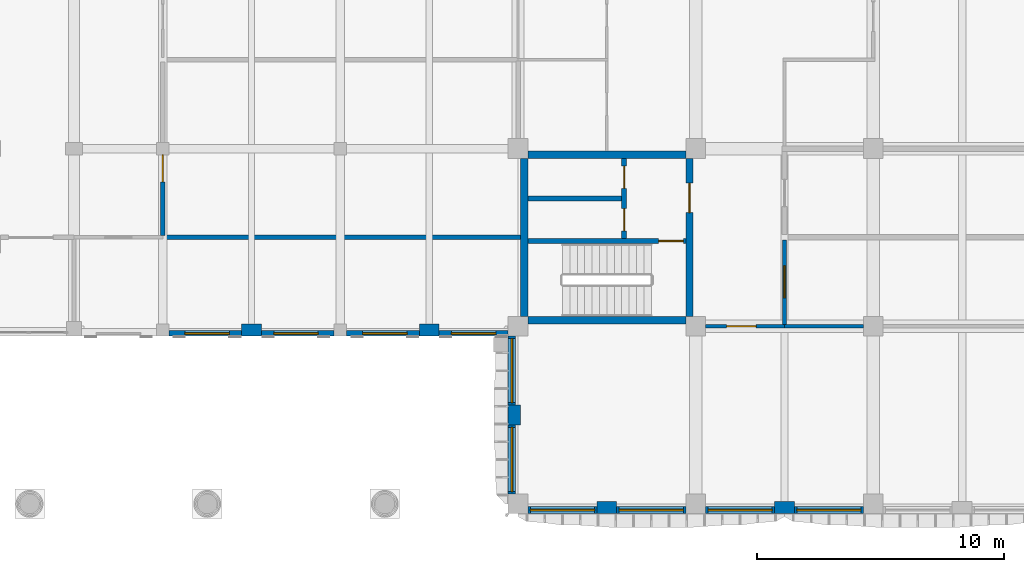
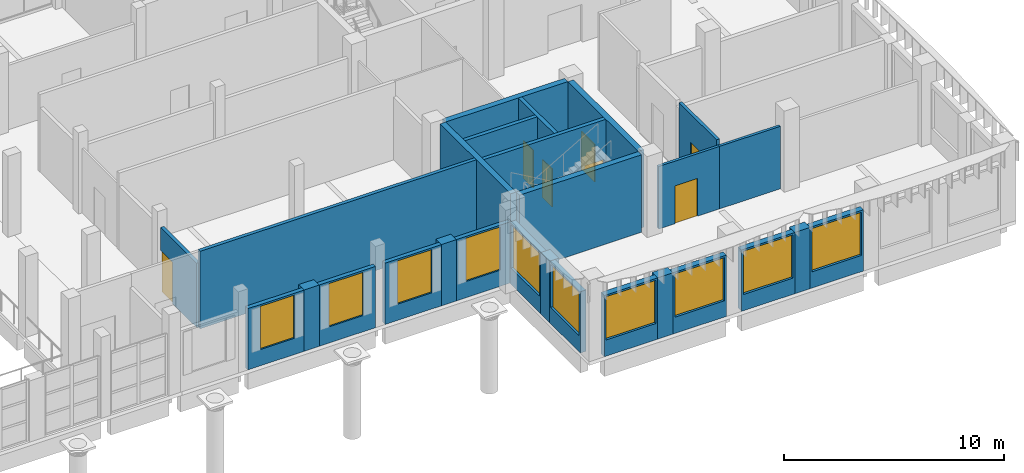
# One storey, part 22 of 59: 27 walls, 10 windows, 7 doors, 17 openings.
"""IFC4 building model written with IfcOpenShell, lengths in metres."""

from ifc_helpers import new_model, si_unit, direction, frame, frame_2d, origin, place, context, subcontext, project, spatial, rectangle, extrude, material, layer, layer_set, type_object, element, fill, save


model = new_model("IFC4")

# Units and contexts
model_context = context("Model", 3, precision=1e-05, world=origin(), true_north=direction((0.0, 1.0)))
body_context = subcontext(model_context, "Body", "Model", "MODEL_VIEW")
ifc_project = project(units=[si_unit("LENGTHUNIT", "METRE"), si_unit("AREAUNIT", "SQUARE_METRE"), si_unit("VOLUMEUNIT", "CUBIC_METRE"), si_unit("PLANEANGLEUNIT", "RADIAN"), si_unit("MASSUNIT", "GRAM", prefix="KILO")], contexts=[model_context])

# Site, building, storey
site_placement = place(None, origin())
site = spatial("IfcSite", under=ifc_project, at=site_placement, CompositionType="ELEMENT")
building_placement = place(site_placement, origin())
building = spatial("IfcBuilding", under=site, at=building_placement, Name="Ussher Court Research Institute", CompositionType="ELEMENT")
storey_placement = place(building_placement, frame((0.0, 0.0, 5.39990234375)))
storey = spatial("IfcBuildingStorey", under=building, at=storey_placement, Name="L01", CompositionType="ELEMENT", Elevation=5.39990234375)

# Wall
ifc_material_1 = material(Name="Plasterboard on steel studs with mineral wool", Category="steel")
ifc_layer_1 = layer(ifc_material_1, 0.179931640625)
ifc_layer_set_1 = layer_set([ifc_layer_1], Name="Plasterboard on steel studs with mineral wool")
wall_type_1 = type_object("IfcWallType", Name="Acoustic twin-stud partition 180", PredefinedType="PARTITIONING", material=ifc_layer_set_1)
wall_1_placement = place(storey_placement, frame((67.800048828125, 14.800048828125, 0.0), z_axis=(0.0, 0.0, 1.0), x_axis=(1.0, 0.0, 0.0)))
element("IfcWall", 1, at=wall_1_placement, inside=storey, type_object=wall_type_1, Name="Partition", PredefinedType="PARTITIONING", context=body_context, shape_type="SweptSolid", body=[
    extrude(rectangle(XDim=14.5, YDim=0.179931640625, at=frame_2d((7.25, 0.0))), origin(), (0.0, 0.0, 1.0), 4.300048828125),
])

# Wall, opening, door
wall_2_placement = place(storey_placement, frame((67.800048828125, 18.14990234375, 0.0), z_axis=(0.0, 0.0, 1.0), x_axis=(0.0, -1.0, 0.0)))
wall_2 = element("IfcWall", 2, at=wall_2_placement, inside=storey, type_object=wall_type_1, Name="Partition", PredefinedType="PARTITIONING", context=body_context, shape_type="SweptSolid", body=[
    extrude(rectangle(XDim=3.27978515625, YDim=0.179931640625, at=frame_2d((1.639892578125, 0.0))), origin(), (0.0, 0.0, 1.0), 3.570068359375),
])
opening_1_placement = place(wall_2_placement, origin())
opening_1 = element("IfcOpeningElement", 3, at=opening_1_placement, cuts=wall_2, Name="Opening D01044", PredefinedType="OPENING", context=body_context, shape_type="SweptSolid", body=[
    extrude(rectangle(XDim=1.10009765625, YDim=2.300048828125, at=frame_2d((0.550048828125, 1.14990234375))), frame((0.0, 0.10009765625, 0.0), z_axis=(0.0, -1.0, 0.0), x_axis=(1.0, 0.0, 0.0)), (0.0, 0.0, 1.0), 0.199951171875),
])
ifc_material_2 = material(Name="Veneered timber door", Category="wood")
door_type_1 = type_object("IfcDoorType", Name="Seminar room door 1100x2300", OperationType="NOTDEFINED", PredefinedType="DOOR", material=ifc_material_2)
door_1_placement = place(opening_1_placement, origin())
door_1 = element("IfcDoor", 4, at=door_1_placement, inside=storey, type_object=door_type_1, Name="Door D01044", OperationType="SINGLE_SWING_LEFT", OverallHeight=2.300048828125, OverallWidth=1.10009765625, PredefinedType="DOOR", context=body_context, shape_type="SweptSolid", body=[
    extrude(rectangle(XDim=1.10009765625, YDim=2.300048828125, at=frame_2d((0.550048828125, 1.14990234375))), frame((0.0, 0.02490234375, 0.0), z_axis=(0.0, -1.0, 0.0), x_axis=(1.0, 0.0, 0.0)), (0.0, 0.0, 1.0), 0.050048828125),
])
fill(opening_1, door_1)

# Wall, opening, window
ifc_material_3 = material(Name="Blockwork with cream render", Category="masonry")
ifc_layer_2 = layer(ifc_material_3, 0.300048828125)
ifc_layer_set_2 = layer_set([ifc_layer_2], Name="Blockwork with cream render")
wall_type_2 = type_object("IfcWallType", Name="External wall 300 cream render", PredefinedType="SOLIDWALL", material=ifc_layer_set_2)
wall_3_placement = place(storey_placement, frame((96.199951171875, 3.75, 0.0), z_axis=(0.0, 0.0, 1.0), x_axis=(-1.0, 0.0, 0.0)))
wall_3 = element("IfcWall", 5, at=wall_3_placement, inside=storey, type_object=wall_type_2, Name="External wall EW1 L01", PredefinedType="SOLIDWALL", context=body_context, shape_type="SweptSolid", body=[
    extrude(rectangle(XDim=2.800048828125, YDim=0.300048828125, at=frame_2d((1.39990234375, 0.0))), origin(), (0.0, 0.0, 1.0), 3.400146484375),
])
opening_2_placement = place(wall_3_placement, frame((0.10009765625, 0.0, 0.89990234375)))
opening_2 = element("IfcOpeningElement", 6, at=opening_2_placement, cuts=wall_3, Name="Opening W01", PredefinedType="OPENING", context=body_context, shape_type="SweptSolid", body=[
    extrude(rectangle(XDim=2.60009765625, YDim=2.39990234375, at=frame_2d((1.300048828125, 1.199951171875))), frame((0.0, 0.16015625, 0.0), z_axis=(0.0, -1.0, 0.0), x_axis=(1.0, 0.0, 0.0)), (0.0, 0.0, 1.0), 0.320068359375),
])
ifc_material_4 = material(Name="Bronze anodised aluminium with double glazing", Category="aluminium")
window_type_1 = type_object("IfcWindowType", Name="Laboratory bay window 2600x2400", PartitioningType="DOUBLE_PANEL_VERTICAL", PredefinedType="WINDOW", material=ifc_material_4)
window_1_placement = place(opening_2_placement, origin())
window_1 = element("IfcWindow", 7, at=window_1_placement, inside=storey, type_object=window_type_1, Name="Window W01 L01", OverallHeight=2.39990234375, OverallWidth=2.60009765625, PartitioningType="SINGLE_PANEL", PredefinedType="WINDOW", context=body_context, shape_type="SweptSolid", body=[
    extrude(rectangle(XDim=2.60009765625, YDim=2.39990234375, at=frame_2d((1.300048828125, 1.199951171875))), frame((0.0, 0.030029296875, 0.0), z_axis=(0.0, -1.0, 0.0), x_axis=(1.0, 0.0, 0.0)), (0.0, 0.0, 1.0), 0.06005859375),
])
fill(opening_2, window_1)

wall_4_placement = place(storey_placement, frame((92.60009765625, 3.75, 0.0), z_axis=(0.0, 0.0, 1.0), x_axis=(-1.0, 0.0, 0.0)))
wall_4 = element("IfcWall", 8, at=wall_4_placement, inside=storey, type_object=wall_type_2, Name="External wall EW1 L01", PredefinedType="SOLIDWALL", context=body_context, shape_type="SweptSolid", body=[
    extrude(rectangle(XDim=2.800048828125, YDim=0.300048828125, at=frame_2d((1.39990234375, 0.0))), origin(), (0.0, 0.0, 1.0), 3.400146484375),
])
opening_3_placement = place(wall_4_placement, frame((0.10009765625, 0.0, 0.89990234375)))
opening_3 = element("IfcOpeningElement", 9, at=opening_3_placement, cuts=wall_4, Name="Opening W01", PredefinedType="OPENING", context=body_context, shape_type="SweptSolid", body=[
    extrude(rectangle(XDim=2.60009765625, YDim=2.39990234375, at=frame_2d((1.300048828125, 1.199951171875))), frame((0.0, 0.16015625, 0.0), z_axis=(0.0, -1.0, 0.0), x_axis=(1.0, 0.0, 0.0)), (0.0, 0.0, 1.0), 0.320068359375),
])
window_2_placement = place(opening_3_placement, origin())
window_2 = element("IfcWindow", 10, at=window_2_placement, inside=storey, type_object=window_type_1, Name="Window W01 L01", OverallHeight=2.39990234375, OverallWidth=2.60009765625, PartitioningType="SINGLE_PANEL", PredefinedType="WINDOW", context=body_context, shape_type="SweptSolid", body=[
    extrude(rectangle(XDim=2.60009765625, YDim=2.39990234375, at=frame_2d((1.300048828125, 1.199951171875))), frame((0.0, 0.030029296875, 0.0), z_axis=(0.0, -1.0, 0.0), x_axis=(1.0, 0.0, 0.0)), (0.0, 0.0, 1.0), 0.06005859375),
])
fill(opening_3, window_2)

wall_5_placement = place(storey_placement, frame((89.0, 3.75, 0.0), z_axis=(0.0, 0.0, 1.0), x_axis=(-1.0, 0.0, 0.0)))
wall_5 = element("IfcWall", 11, at=wall_5_placement, inside=storey, type_object=wall_type_2, Name="External wall EW1 L01", PredefinedType="SOLIDWALL", context=body_context, shape_type="SweptSolid", body=[
    extrude(rectangle(XDim=2.800048828125, YDim=0.300048828125, at=frame_2d((1.39990234375, 0.0))), origin(), (0.0, 0.0, 1.0), 3.400146484375),
])
opening_4_placement = place(wall_5_placement, frame((0.10009765625, 0.0, 0.89990234375)))
opening_4 = element("IfcOpeningElement", 12, at=opening_4_placement, cuts=wall_5, Name="Opening W01", PredefinedType="OPENING", context=body_context, shape_type="SweptSolid", body=[
    extrude(rectangle(XDim=2.60009765625, YDim=2.39990234375, at=frame_2d((1.300048828125, 1.199951171875))), frame((0.0, 0.16015625, 0.0), z_axis=(0.0, -1.0, 0.0), x_axis=(1.0, 0.0, 0.0)), (0.0, 0.0, 1.0), 0.320068359375),
])
window_3_placement = place(opening_4_placement, origin())
window_3 = element("IfcWindow", 13, at=window_3_placement, inside=storey, type_object=window_type_1, Name="Window W01 L01", OverallHeight=2.39990234375, OverallWidth=2.60009765625, PartitioningType="SINGLE_PANEL", PredefinedType="WINDOW", context=body_context, shape_type="SweptSolid", body=[
    extrude(rectangle(XDim=2.60009765625, YDim=2.39990234375, at=frame_2d((1.300048828125, 1.199951171875))), frame((0.0, 0.030029296875, 0.0), z_axis=(0.0, -1.0, 0.0), x_axis=(1.0, 0.0, 0.0)), (0.0, 0.0, 1.0), 0.06005859375),
])
fill(opening_4, window_3)

wall_6_placement = place(storey_placement, frame((85.39990234375, 3.75, 0.0), z_axis=(0.0, 0.0, 1.0), x_axis=(-1.0, 0.0, 0.0)))
wall_6 = element("IfcWall", 14, at=wall_6_placement, inside=storey, type_object=wall_type_2, Name="External wall EW1 L01", PredefinedType="SOLIDWALL", context=body_context, shape_type="SweptSolid", body=[
    extrude(rectangle(XDim=2.7998046875, YDim=0.300048828125, at=frame_2d((1.39990234375, 0.0))), origin(), (0.0, 0.0, 1.0), 3.400146484375),
])
opening_5_placement = place(wall_6_placement, frame((0.10009765625, 0.0, 0.89990234375)))
opening_5 = element("IfcOpeningElement", 15, at=opening_5_placement, cuts=wall_6, Name="Opening W01", PredefinedType="OPENING", context=body_context, shape_type="SweptSolid", body=[
    extrude(rectangle(XDim=2.60009765625, YDim=2.39990234375, at=frame_2d((1.300048828125, 1.199951171875))), frame((0.0, 0.16015625, 0.0), z_axis=(0.0, -1.0, 0.0), x_axis=(1.0, 0.0, 0.0)), (0.0, 0.0, 1.0), 0.320068359375),
])
window_4_placement = place(opening_5_placement, origin())
window_4 = element("IfcWindow", 16, at=window_4_placement, inside=storey, type_object=window_type_1, Name="Window W01 L01", OverallHeight=2.39990234375, OverallWidth=2.60009765625, PartitioningType="SINGLE_PANEL", PredefinedType="WINDOW", context=body_context, shape_type="SweptSolid", body=[
    extrude(rectangle(XDim=2.60009765625, YDim=2.39990234375, at=frame_2d((1.300048828125, 1.199951171875))), frame((0.0, 0.030029296875, 0.0), z_axis=(0.0, -1.0, 0.0), x_axis=(1.0, 0.0, 0.0)), (0.0, 0.0, 1.0), 0.06005859375),
])
fill(opening_5, window_4)

wall_7_placement = place(storey_placement, frame((81.949951171875, 4.39990234375, 0.0), z_axis=(0.0, 0.0, 1.0), x_axis=(0.0, 1.0, 0.0)))
wall_7 = element("IfcWall", 17, at=wall_7_placement, inside=storey, type_object=wall_type_2, Name="External wall EW1 L01", PredefinedType="SOLIDWALL", context=body_context, shape_type="SweptSolid", body=[
    extrude(rectangle(XDim=2.800048828125, YDim=0.300048828125, at=frame_2d((1.39990234375, 0.0))), origin(), (0.0, 0.0, 1.0), 3.400146484375),
])
opening_6_placement = place(wall_7_placement, frame((0.10009765625, 0.0, 0.89990234375)))
opening_6 = element("IfcOpeningElement", 18, at=opening_6_placement, cuts=wall_7, Name="Opening W01", PredefinedType="OPENING", context=body_context, shape_type="SweptSolid", body=[
    extrude(rectangle(XDim=2.60009765625, YDim=2.39990234375, at=frame_2d((1.300048828125, 1.199951171875))), frame((0.0, 0.16015625, 0.0), z_axis=(0.0, -1.0, 0.0), x_axis=(1.0, 0.0, 0.0)), (0.0, 0.0, 1.0), 0.320068359375),
])
window_5_placement = place(opening_6_placement, origin())
window_5 = element("IfcWindow", 19, at=window_5_placement, inside=storey, type_object=window_type_1, Name="Window W01 L01", OverallHeight=2.39990234375, OverallWidth=2.60009765625, PartitioningType="SINGLE_PANEL", PredefinedType="WINDOW", context=body_context, shape_type="SweptSolid", body=[
    extrude(rectangle(XDim=2.60009765625, YDim=2.39990234375, at=frame_2d((1.300048828125, 1.199951171875))), frame((0.0, 0.030029296875, 0.0), z_axis=(0.0, -1.0, 0.0), x_axis=(1.0, 0.0, 0.0)), (0.0, 0.0, 1.0), 0.06005859375),
])
fill(opening_6, window_5)

wall_8_placement = place(storey_placement, frame((81.949951171875, 8.0, 0.0), z_axis=(0.0, 0.0, 1.0), x_axis=(0.0, 1.0, 0.0)))
wall_8 = element("IfcWall", 20, at=wall_8_placement, inside=storey, type_object=wall_type_2, Name="External wall EW1 L01", PredefinedType="SOLIDWALL", context=body_context, shape_type="SweptSolid", body=[
    extrude(rectangle(XDim=2.800048828125, YDim=0.300048828125, at=frame_2d((1.39990234375, 0.0))), origin(), (0.0, 0.0, 1.0), 3.400146484375),
])
opening_7_placement = place(wall_8_placement, frame((0.10009765625, 0.0, 0.89990234375)))
opening_7 = element("IfcOpeningElement", 21, at=opening_7_placement, cuts=wall_8, Name="Opening W01", PredefinedType="OPENING", context=body_context, shape_type="SweptSolid", body=[
    extrude(rectangle(XDim=2.60009765625, YDim=2.39990234375, at=frame_2d((1.300048828125, 1.199951171875))), frame((0.0, 0.16015625, 0.0), z_axis=(0.0, -1.0, 0.0), x_axis=(1.0, 0.0, 0.0)), (0.0, 0.0, 1.0), 0.320068359375),
])
window_6_placement = place(opening_7_placement, origin())
window_6 = element("IfcWindow", 22, at=window_6_placement, inside=storey, type_object=window_type_1, Name="Window W01 L01", OverallHeight=2.39990234375, OverallWidth=2.60009765625, PartitioningType="SINGLE_PANEL", PredefinedType="WINDOW", context=body_context, shape_type="SweptSolid", body=[
    extrude(rectangle(XDim=2.60009765625, YDim=2.39990234375, at=frame_2d((1.300048828125, 1.199951171875))), frame((0.0, 0.030029296875, 0.0), z_axis=(0.0, -1.0, 0.0), x_axis=(1.0, 0.0, 0.0)), (0.0, 0.0, 1.0), 0.06005859375),
])
fill(opening_7, window_6)

# Wall, opening, door
ifc_material_5 = material(Name="Dense concrete blockwork", Category="masonry")
ifc_layer_3 = layer(ifc_material_5, 0.159912109375)
ifc_layer_set_3 = layer_set([ifc_layer_3], Name="Dense concrete blockwork")
wall_type_3 = type_object("IfcWallType", Name="Instrument room dense block partition 160", PredefinedType="PARTITIONING", material=ifc_layer_set_3)
wall_9_placement = place(storey_placement, frame((93.0, 14.68994140625, 0.0), z_axis=(0.0, 0.0, 1.0), x_axis=(0.0, -1.0, 0.0)))
wall_9 = element("IfcWall", 23, at=wall_9_placement, inside=storey, type_object=wall_type_3, Name="Partition", PredefinedType="PARTITIONING", context=body_context, shape_type="SweptSolid", body=[
    extrude(rectangle(XDim=3.419921875, YDim=0.159912109375, at=frame_2d((1.7099609375, 0.0))), origin(), (0.0, 0.0, 1.0), 3.77001953125),
])
opening_8_placement = place(wall_9_placement, frame((1.0400390625, 0.0, 0.0)))
opening_8 = element("IfcOpeningElement", 24, at=opening_8_placement, cuts=wall_9, Name="Opening D01071", PredefinedType="OPENING", context=body_context, shape_type="SweptSolid", body=[
    extrude(rectangle(XDim=1.300048828125, YDim=2.199951171875, at=frame_2d((0.64990234375, 1.10009765625))), frame((0.0, 0.08984375, 0.0), z_axis=(0.0, -1.0, 0.0), x_axis=(1.0, 0.0, 0.0)), (0.0, 0.0, 1.0), 0.179931640625),
])
ifc_material_6 = material(Name="Veneered timber door", Category="wood")
door_type_2 = type_object("IfcDoorType", Name="Instrument room door 1300x2200", OperationType="NOTDEFINED", PredefinedType="DOOR", material=ifc_material_6)
door_2_placement = place(opening_8_placement, origin())
door_2 = element("IfcDoor", 25, at=door_2_placement, inside=storey, type_object=door_type_2, Name="Door D01071", OperationType="SINGLE_SWING_LEFT", OverallHeight=2.199951171875, OverallWidth=1.300048828125, PredefinedType="DOOR", context=body_context, shape_type="SweptSolid", body=[
    extrude(rectangle(XDim=1.300048828125, YDim=2.199951171875, at=frame_2d((0.64990234375, 1.10009765625))), frame((0.0, 0.02490234375, 0.0), z_axis=(0.0, -1.0, 0.0), x_axis=(1.0, 0.0, 0.0)), (0.0, 0.0, 1.0), 0.050048828125),
])
fill(opening_8, door_2)

ifc_material_7 = material(Name="Plastered blockwork", Category="masonry")
ifc_layer_4 = layer(ifc_material_7, 0.139892578125)
ifc_layer_set_4 = layer_set([ifc_layer_4], Name="Plastered blockwork")
wall_type_4 = type_object("IfcWallType", Name="Laboratory blockwork partition 140", PredefinedType="PARTITIONING", material=ifc_layer_set_4)
wall_10_placement = place(storey_placement, frame((93.0, 11.199951171875, 0.0), z_axis=(0.0, 0.0, 1.0), x_axis=(-1.0, 0.0, 0.0)))
wall_10 = element("IfcWall", 26, at=wall_10_placement, inside=storey, type_object=wall_type_4, Name="Partition", PredefinedType="PARTITIONING", context=body_context, shape_type="SweptSolid", body=[
    extrude(rectangle(XDim=3.199951171875, YDim=0.139892578125, at=frame_2d((1.60009765625, 0.0))), origin(), (0.0, 0.0, 1.0), 3.47021484375),
])
opening_9_placement = place(wall_10_placement, frame((1.14990234375, 0.0, 0.0)))
opening_9 = element("IfcOpeningElement", 27, at=opening_9_placement, cuts=wall_10, Name="Opening D01070", PredefinedType="OPENING", context=body_context, shape_type="SweptSolid", body=[
    extrude(rectangle(XDim=1.199951171875, YDim=2.10009765625, at=frame_2d((0.60009765625, 1.050048828125))), frame((0.0, 0.080078125, 0.0), z_axis=(0.0, -1.0, 0.0), x_axis=(1.0, 0.0, 0.0)), (0.0, 0.0, 1.0), 0.159912109375),
])
ifc_material_8 = material(Name="Veneered timber door", Category="wood")
door_type_3 = type_object("IfcDoorType", Name="Laboratory door 1200x2100", OperationType="NOTDEFINED", PredefinedType="DOOR", material=ifc_material_8)
door_3_placement = place(opening_9_placement, origin())
door_3 = element("IfcDoor", 28, at=door_3_placement, inside=storey, type_object=door_type_3, Name="Door D01070", OperationType="SINGLE_SWING_RIGHT", OverallHeight=2.10009765625, OverallWidth=1.199951171875, PredefinedType="DOOR", context=body_context, shape_type="SweptSolid", body=[
    extrude(rectangle(XDim=1.199951171875, YDim=2.10009765625, at=frame_2d((0.60009765625, 1.050048828125))), frame((0.0, 0.02490234375, 0.0), z_axis=(0.0, -1.0, 0.0), x_axis=(1.0, 0.0, 0.0)), (0.0, 0.0, 1.0), 0.050048828125),
])
fill(opening_9, door_3)

# Wall
wall_11_placement = place(storey_placement, frame((93.0, 11.199951171875, 0.0), z_axis=(0.0, 0.0, 1.0), x_axis=(1.0, 0.0, 0.0)))
element("IfcWall", 29, at=wall_11_placement, inside=storey, type_object=wall_type_4, Name="Partition", PredefinedType="PARTITIONING", context=body_context, shape_type="SweptSolid", body=[
    extrude(rectangle(XDim=3.199951171875, YDim=0.139892578125, at=frame_2d((1.60009765625, 0.0))), origin(), (0.0, 0.0, 1.0), 3.47021484375),
])

# Wall, opening, window
ifc_material_9 = material(Name="Limestone facing on insulated blockwork", Category="masonry")
ifc_layer_5 = layer(ifc_material_9, 0.219970703125)
ifc_layer_set_5 = layer_set([ifc_layer_5], Name="Limestone facing on insulated blockwork")
wall_type_5 = type_object("IfcWallType", Name="Link wall 220 limestone faced insulated block", PredefinedType="SOLIDWALL", material=ifc_layer_set_5)
wall_12_placement = place(storey_placement, frame((81.800048828125, 10.909912109375, 0.0), z_axis=(0.0, 0.0, 1.0), x_axis=(-1.0, 0.0, 0.0)))
wall_12 = element("IfcWall", 30, at=wall_12_placement, inside=storey, type_object=wall_type_5, Name="External wall EW6 L01", PredefinedType="SOLIDWALL", context=body_context, shape_type="SweptSolid", body=[
    extrude(rectangle(XDim=2.800048828125, YDim=0.219970703125, at=frame_2d((1.39990234375, 0.0))), origin(), (0.0, 0.0, 1.0), 3.400146484375),
])
opening_10_placement = place(wall_12_placement, frame((0.5, 0.0, 0.89990234375)))
opening_10 = element("IfcOpeningElement", 31, at=opening_10_placement, cuts=wall_12, Name="Opening W05", PredefinedType="OPENING", context=body_context, shape_type="SweptSolid", body=[
    extrude(rectangle(XDim=1.800048828125, YDim=2.39990234375, at=frame_2d((0.89990234375, 1.199951171875))), frame((0.0, 0.1201171875, 0.0), z_axis=(0.0, -1.0, 0.0), x_axis=(1.0, 0.0, 0.0)), (0.0, 0.0, 1.0), 0.239990234375),
])
ifc_material_10 = material(Name="Bronze anodised aluminium with double glazing", Category="aluminium")
window_type_2 = type_object("IfcWindowType", Name="Reading link window 1800x2400", PartitioningType="DOUBLE_PANEL_VERTICAL", PredefinedType="WINDOW", material=ifc_material_10)
window_7_placement = place(opening_10_placement, origin())
window_7 = element("IfcWindow", 32, at=window_7_placement, inside=storey, type_object=window_type_2, Name="Window W05 L01", OverallHeight=2.39990234375, OverallWidth=1.800048828125, PartitioningType="SINGLE_PANEL", PredefinedType="WINDOW", context=body_context, shape_type="SweptSolid", body=[
    extrude(rectangle(XDim=1.800048828125, YDim=2.39990234375, at=frame_2d((0.89990234375, 1.199951171875))), frame((0.0, 0.030029296875, 0.0), z_axis=(0.0, -1.0, 0.0), x_axis=(1.0, 0.0, 0.0)), (0.0, 0.0, 1.0), 0.06005859375),
])
fill(opening_10, window_7)

wall_13_placement = place(storey_placement, frame((78.199951171875, 10.909912109375, 0.0), z_axis=(0.0, 0.0, 1.0), x_axis=(-1.0, 0.0, 0.0)))
wall_13 = element("IfcWall", 33, at=wall_13_placement, inside=storey, type_object=wall_type_5, Name="External wall EW6 L01", PredefinedType="SOLIDWALL", context=body_context, shape_type="SweptSolid", body=[
    extrude(rectangle(XDim=2.949951171875, YDim=0.219970703125, at=frame_2d((1.47509765625, 0.0))), origin(), (0.0, 0.0, 1.0), 3.400146484375),
])
opening_11_placement = place(wall_13_placement, frame((0.5, 0.0, 0.89990234375)))
opening_11 = element("IfcOpeningElement", 34, at=opening_11_placement, cuts=wall_13, Name="Opening W05", PredefinedType="OPENING", context=body_context, shape_type="SweptSolid", body=[
    extrude(rectangle(XDim=1.800048828125, YDim=2.39990234375, at=frame_2d((0.89990234375, 1.199951171875))), frame((0.0, 0.1201171875, 0.0), z_axis=(0.0, -1.0, 0.0), x_axis=(1.0, 0.0, 0.0)), (0.0, 0.0, 1.0), 0.239990234375),
])
window_8_placement = place(opening_11_placement, origin())
window_8 = element("IfcWindow", 35, at=window_8_placement, inside=storey, type_object=window_type_2, Name="Window W05 L01", OverallHeight=2.39990234375, OverallWidth=1.800048828125, PartitioningType="SINGLE_PANEL", PredefinedType="WINDOW", context=body_context, shape_type="SweptSolid", body=[
    extrude(rectangle(XDim=1.800048828125, YDim=2.39990234375, at=frame_2d((0.89990234375, 1.199951171875))), frame((0.0, 0.030029296875, 0.0), z_axis=(0.0, -1.0, 0.0), x_axis=(1.0, 0.0, 0.0)), (0.0, 0.0, 1.0), 0.06005859375),
])
fill(opening_11, window_8)

wall_14_placement = place(storey_placement, frame((74.75, 10.909912109375, 0.0), z_axis=(0.0, 0.0, 1.0), x_axis=(-1.0, 0.0, 0.0)))
wall_14 = element("IfcWall", 36, at=wall_14_placement, inside=storey, type_object=wall_type_5, Name="External wall EW6 L01", PredefinedType="SOLIDWALL", context=body_context, shape_type="SweptSolid", body=[
    extrude(rectangle(XDim=2.949951171875, YDim=0.219970703125, at=frame_2d((1.47509765625, 0.0))), origin(), (0.0, 0.0, 1.0), 3.400146484375),
])
opening_12_placement = place(wall_14_placement, frame((0.64990234375, 0.0, 0.89990234375)))
opening_12 = element("IfcOpeningElement", 37, at=opening_12_placement, cuts=wall_14, Name="Opening W05", PredefinedType="OPENING", context=body_context, shape_type="SweptSolid", body=[
    extrude(rectangle(XDim=1.800048828125, YDim=2.39990234375, at=frame_2d((0.89990234375, 1.199951171875))), frame((0.0, 0.1201171875, 0.0), z_axis=(0.0, -1.0, 0.0), x_axis=(1.0, 0.0, 0.0)), (0.0, 0.0, 1.0), 0.239990234375),
])
window_9_placement = place(opening_12_placement, origin())
window_9 = element("IfcWindow", 38, at=window_9_placement, inside=storey, type_object=window_type_2, Name="Window W05 L01", OverallHeight=2.39990234375, OverallWidth=1.800048828125, PartitioningType="SINGLE_PANEL", PredefinedType="WINDOW", context=body_context, shape_type="SweptSolid", body=[
    extrude(rectangle(XDim=1.800048828125, YDim=2.39990234375, at=frame_2d((0.89990234375, 1.199951171875))), frame((0.0, 0.030029296875, 0.0), z_axis=(0.0, -1.0, 0.0), x_axis=(1.0, 0.0, 0.0)), (0.0, 0.0, 1.0), 0.06005859375),
])
fill(opening_12, window_9)

wall_15_placement = place(storey_placement, frame((71.0, 10.909912109375, 0.0), z_axis=(0.0, 0.0, 1.0), x_axis=(-1.0, 0.0, 0.0)))
wall_15 = element("IfcWall", 39, at=wall_15_placement, inside=storey, type_object=wall_type_5, Name="External wall EW6 L01", PredefinedType="SOLIDWALL", context=body_context, shape_type="SweptSolid", body=[
    extrude(rectangle(XDim=2.949951171875, YDim=0.219970703125, at=frame_2d((1.47509765625, 0.0))), origin(), (0.0, 0.0, 1.0), 3.400146484375),
])
opening_13_placement = place(wall_15_placement, frame((0.5, 0.0, 0.89990234375)))
opening_13 = element("IfcOpeningElement", 40, at=opening_13_placement, cuts=wall_15, Name="Opening W05", PredefinedType="OPENING", context=body_context, shape_type="SweptSolid", body=[
    extrude(rectangle(XDim=1.800048828125, YDim=2.39990234375, at=frame_2d((0.89990234375, 1.199951171875))), frame((0.0, 0.1201171875, 0.0), z_axis=(0.0, -1.0, 0.0), x_axis=(1.0, 0.0, 0.0)), (0.0, 0.0, 1.0), 0.239990234375),
])
window_10_placement = place(opening_13_placement, origin())
window_10 = element("IfcWindow", 41, at=window_10_placement, inside=storey, type_object=window_type_2, Name="Window W05 L01", OverallHeight=2.39990234375, OverallWidth=1.800048828125, PartitioningType="SINGLE_PANEL", PredefinedType="WINDOW", context=body_context, shape_type="SweptSolid", body=[
    extrude(rectangle(XDim=1.800048828125, YDim=2.39990234375, at=frame_2d((0.89990234375, 1.199951171875))), frame((0.0, 0.030029296875, 0.0), z_axis=(0.0, -1.0, 0.0), x_axis=(1.0, 0.0, 0.0)), (0.0, 0.0, 1.0), 0.06005859375),
])
fill(opening_13, window_10)

# Walls
ifc_material_11 = material(Name="Blockwork with cream render", Category="masonry")
ifc_layer_6 = layer(ifc_material_11, 0.5)
ifc_layer_set_6 = layer_set([ifc_layer_6], Name="Blockwork with cream render")
wall_type_6 = type_object("IfcWallType", Name="Pier 800x500 cream render", PredefinedType="SOLIDWALL", material=ifc_layer_set_6)
wall_16_placement = place(storey_placement, frame((93.39990234375, 3.85009765625, 0.0), z_axis=(0.0, 0.0, 1.0), x_axis=(-1.0, 0.0, 0.0)))
element("IfcWall", 42, at=wall_16_placement, inside=storey, type_object=wall_type_6, Name="Pier PR1 L01", PredefinedType="SOLIDWALL", context=body_context, shape_type="SweptSolid", body=[
    extrude(rectangle(XDim=0.7998046875, YDim=0.5, at=frame_2d((0.39990234375, 0.0))), origin(), (0.0, 0.0, 1.0), 3.400146484375),
])
for number, where, z_axis, x_axis, name in (
    (43, (86.199951171875, 3.85009765625, 0.0), (0.0, 0.0, 1.0), (-1.0, 0.0, 0.0), "Pier PR1 L01"),
    (44, (82.050048828125, 7.199951171875, 0.0), (0.0, 0.0, 1.0), (0.0, 1.0, 0.0), "Pier PR1 L01"),
):
    element("IfcWall", number, at=place(storey_placement, frame(where, z_axis=z_axis, x_axis=x_axis)), inside=storey, type_object=wall_type_6, Name=name, PredefinedType="SOLIDWALL", context=body_context, shape_type="SweptSolid", body=[
        extrude(rectangle(XDim=0.800048828125, YDim=0.5, at=frame_2d((0.39990234375, 0.0))), origin(), (0.0, 0.0, 1.0), 3.400146484375),
    ])
ifc_material_12 = material(Name="Rusticated limestone facing on blockwork", Category="masonry")
ifc_layer_7 = layer(ifc_material_12, 0.5)
ifc_layer_set_7 = layer_set([ifc_layer_7], Name="Rusticated limestone facing on blockwork")
wall_type_7 = type_object("IfcWallType", Name="Pier 800x500 rusticated limestone", PredefinedType="SOLIDWALL", material=ifc_layer_set_7)
for number, where, z_axis, x_axis, name in (
    (45, (79.0, 11.050048828125, 0.0), (0.0, 0.0, 1.0), (-1.0, 0.0, 0.0), "Pier PR2 L01"),
    (46, (71.800048828125, 11.050048828125, 0.0), (0.0, 0.0, 1.0), (-1.0, 0.0, 0.0), "Pier PR2 L01"),
):
    element("IfcWall", number, at=place(storey_placement, frame(where, z_axis=z_axis, x_axis=x_axis)), inside=storey, type_object=wall_type_7, Name=name, PredefinedType="SOLIDWALL", context=body_context, shape_type="SweptSolid", body=[
        extrude(rectangle(XDim=0.800048828125, YDim=0.5, at=frame_2d((0.39990234375, 0.0))), origin(), (0.0, 0.0, 1.0), 3.400146484375),
    ])

# Wall, opening, door
ifc_material_13 = material(Name="Concrete C35/45", Category="concrete")
ifc_layer_8 = layer(ifc_material_13, 0.199951171875)
ifc_layer_set_8 = layer_set([ifc_layer_8], Name="Concrete C35/45")
wall_type_8 = type_object("IfcWallType", Name="RC core wall 200", PredefinedType="SHEAR", material=ifc_layer_set_8)
wall_17_placement = place(storey_placement, frame((89.0, 14.64990234375, 0.0), z_axis=(0.0, 0.0, 1.0), x_axis=(-1.0, 0.0, 0.0)))
wall_17 = element("IfcWall", 47, at=wall_17_placement, inside=storey, type_object=wall_type_8, Name="Core wall T2", PredefinedType="SHEAR", context=body_context, shape_type="SweptSolid", body=[
    extrude(rectangle(XDim=6.39990234375, YDim=0.199951171875, at=frame_2d((3.199951171875, 0.0))), origin(), (0.0, 0.0, 1.0), 4.300048828125),
])
opening_14_placement = place(wall_17_placement, frame((0.10009765625, 0.0, 0.0)))
opening_14 = element("IfcOpeningElement", 48, at=opening_14_placement, cuts=wall_17, Name="Opening D01067", PredefinedType="OPENING", context=body_context, shape_type="SweptSolid", body=[
    extrude(rectangle(XDim=1.0, YDim=2.10009765625, at=frame_2d((0.5, 1.050048828125))), frame((0.0, 0.10986328125, 0.0), z_axis=(0.0, -1.0, 0.0), x_axis=(1.0, 0.0, 0.0)), (0.0, 0.0, 1.0), 0.219970703125),
])
ifc_material_14 = material(Name="Painted steel faced fire door", Category="steel")
door_type_4 = type_object("IfcDoorType", Name="Fire door 1000x2100 FD60", OperationType="NOTDEFINED", PredefinedType="DOOR", material=ifc_material_14)
door_4_placement = place(opening_14_placement, origin())
door_4 = element("IfcDoor", 49, at=door_4_placement, inside=storey, type_object=door_type_4, Name="Door D01067", OperationType="SINGLE_SWING_LEFT", OverallHeight=2.10009765625, OverallWidth=1.0, PredefinedType="DOOR", context=body_context, shape_type="SweptSolid", body=[
    extrude(rectangle(XDim=1.0, YDim=2.10009765625, at=frame_2d((0.5, 1.050048828125))), frame((0.0, 0.02490234375, 0.0), z_axis=(0.0, -1.0, 0.0), x_axis=(1.0, 0.0, 0.0)), (0.0, 0.0, 1.0), 0.050048828125),
])
fill(opening_14, door_4)

# Wall, openings, doors
wall_18_placement = place(storey_placement, frame((86.5, 18.0, 0.0), z_axis=(0.0, 0.0, 1.0), x_axis=(0.0, -1.0, 0.0)))
wall_18 = element("IfcWall", 50, at=wall_18_placement, inside=storey, type_object=wall_type_8, Name="Core wall T2", PredefinedType="SHEAR", context=body_context, shape_type="SweptSolid", body=[
    extrude(rectangle(XDim=3.25, YDim=0.199951171875, at=frame_2d((1.625, 0.0))), origin(), (0.0, 0.0, 1.0), 4.300048828125),
])
opening_15_placement = place(wall_18_placement, frame((2.03759765625, 0.0, 0.0)))
opening_15 = element("IfcOpeningElement", 51, at=opening_15_placement, cuts=wall_18, Name="Opening D01062", PredefinedType="OPENING", context=body_context, shape_type="SweptSolid", body=[
    extrude(rectangle(XDim=0.89990234375, YDim=2.10009765625, at=frame_2d((0.449951171875, 1.050048828125))), frame((0.0, 0.10986328125, 0.0), z_axis=(0.0, -1.0, 0.0), x_axis=(1.0, 0.0, 0.0)), (0.0, 0.0, 1.0), 0.219970703125),
])
opening_16_placement = place(wall_18_placement, frame((0.3125, 0.0, 0.0)))
opening_16 = element("IfcOpeningElement", 52, at=opening_16_placement, cuts=wall_18, Name="Opening D01063", PredefinedType="OPENING", context=body_context, shape_type="SweptSolid", body=[
    extrude(rectangle(XDim=0.89990234375, YDim=2.10009765625, at=frame_2d((0.449951171875, 1.050048828125))), frame((0.0, 0.10986328125, 0.0), z_axis=(0.0, -1.0, 0.0), x_axis=(1.0, 0.0, 0.0)), (0.0, 0.0, 1.0), 0.219970703125),
])
ifc_material_15 = material(Name="Painted steel faced fire door", Category="steel")
door_type_5 = type_object("IfcDoorType", Name="Fire door 900x2100 FD60", OperationType="NOTDEFINED", PredefinedType="DOOR", material=ifc_material_15)
door_5_placement = place(opening_15_placement, origin())
door_5 = element("IfcDoor", 53, at=door_5_placement, inside=storey, type_object=door_type_5, Name="Door D01062", OperationType="SINGLE_SWING_RIGHT", OverallHeight=2.10009765625, OverallWidth=0.89990234375, PredefinedType="DOOR", context=body_context, shape_type="SweptSolid", body=[
    extrude(rectangle(XDim=0.89990234375, YDim=2.10009765625, at=frame_2d((0.449951171875, 1.050048828125))), frame((0.0, 0.02490234375, 0.0), z_axis=(0.0, -1.0, 0.0), x_axis=(1.0, 0.0, 0.0)), (0.0, 0.0, 1.0), 0.050048828125),
])
fill(opening_15, door_5)
door_6_placement = place(opening_16_placement, origin())
door_6 = element("IfcDoor", 54, at=door_6_placement, inside=storey, type_object=door_type_5, Name="Door D01063", OperationType="SINGLE_SWING_LEFT", OverallHeight=2.10009765625, OverallWidth=0.89990234375, PredefinedType="DOOR", context=body_context, shape_type="SweptSolid", body=[
    extrude(rectangle(XDim=0.89990234375, YDim=2.10009765625, at=frame_2d((0.449951171875, 1.050048828125))), frame((0.0, 0.02490234375, 0.0), z_axis=(0.0, -1.0, 0.0), x_axis=(1.0, 0.0, 0.0)), (0.0, 0.0, 1.0), 0.050048828125),
])
fill(opening_16, door_6)

# Wall
wall_19_placement = place(storey_placement, frame((82.60009765625, 16.375, 0.0), z_axis=(0.0, 0.0, 1.0), x_axis=(1.0, 0.0, 0.0)))
element("IfcWall", 55, at=wall_19_placement, inside=storey, type_object=wall_type_8, Name="Core wall T2", PredefinedType="SHEAR", context=body_context, shape_type="SweptSolid", body=[
    extrude(rectangle(XDim=3.7998046875, YDim=0.199951171875, at=frame_2d((1.89990234375, 0.0))), origin(), (0.0, 0.0, 1.0), 4.300048828125),
])

# Wall, opening, door
ifc_material_16 = material(Name="Concrete C35/45", Category="concrete")
ifc_layer_9 = layer(ifc_material_16, 0.300048828125)
ifc_layer_set_9 = layer_set([ifc_layer_9], Name="Concrete C35/45")
wall_type_9 = type_object("IfcWallType", Name="RC core wall 300", PredefinedType="SHEAR", material=ifc_layer_set_9)
wall_20_placement = place(storey_placement, frame((89.14990234375, 11.60009765625, 0.0), z_axis=(0.0, 0.0, 1.0), x_axis=(0.0, 1.0, 0.0)))
wall_20 = element("IfcWall", 56, at=wall_20_placement, inside=storey, type_object=wall_type_9, Name="Core wall T2", PredefinedType="SHEAR", context=body_context, shape_type="SweptSolid", body=[
    extrude(rectangle(XDim=6.39990234375, YDim=0.300048828125, at=frame_2d((3.199951171875, 0.0))), origin(), (0.0, 0.0, 1.0), 4.300048828125),
])
opening_17_placement = place(wall_20_placement, frame((4.199951171875, 0.0, 0.0)))
opening_17 = element("IfcOpeningElement", 57, at=opening_17_placement, cuts=wall_20, Name="Opening D01069", PredefinedType="OPENING", context=body_context, shape_type="SweptSolid", body=[
    extrude(rectangle(XDim=1.199951171875, YDim=2.10009765625, at=frame_2d((0.60009765625, 1.050048828125))), frame((0.0, 0.16015625, 0.0), z_axis=(0.0, -1.0, 0.0), x_axis=(1.0, 0.0, 0.0)), (0.0, 0.0, 1.0), 0.320068359375),
])
ifc_material_17 = material(Name="Painted steel faced fire door", Category="steel")
door_type_6 = type_object("IfcDoorType", Name="Fire door 1200x2100 FD60", OperationType="NOTDEFINED", PredefinedType="DOOR", material=ifc_material_17)
door_7_placement = place(opening_17_placement, origin())
door_7 = element("IfcDoor", 58, at=door_7_placement, inside=storey, type_object=door_type_6, Name="Door D01069", OperationType="SINGLE_SWING_RIGHT", OverallHeight=2.10009765625, OverallWidth=1.199951171875, PredefinedType="DOOR", context=body_context, shape_type="SweptSolid", body=[
    extrude(rectangle(XDim=1.199951171875, YDim=2.10009765625, at=frame_2d((0.60009765625, 1.050048828125))), frame((0.0, 0.02490234375, 0.0), z_axis=(0.0, -1.0, 0.0), x_axis=(1.0, 0.0, 0.0)), (0.0, 0.0, 1.0), 0.050048828125),
])
fill(opening_17, door_7)

# Walls
for number, where, z_axis, x_axis, name in (
    (59, (82.449951171875, 11.60009765625, 0.0), (0.0, 0.0, 1.0), (0.0, 1.0, 0.0), "Core wall T2"),
    (60, (82.60009765625, 11.449951171875, 0.0), (0.0, 0.0, 1.0), (1.0, 0.0, 0.0), "Core wall T2"),
    (61, (82.60009765625, 18.14990234375, 0.0), (0.0, 0.0, 1.0), (1.0, 0.0, 0.0), "Core wall T2"),
):
    element("IfcWall", number, at=place(storey_placement, frame(where, z_axis=z_axis, x_axis=x_axis)), inside=storey, type_object=wall_type_9, Name=name, PredefinedType="SHEAR", context=body_context, shape_type="SweptSolid", body=[
        extrude(rectangle(XDim=6.39990234375, YDim=0.300048828125, at=frame_2d((3.199951171875, 0.0))), origin(), (0.0, 0.0, 1.0), 4.300048828125),
    ])

save(model, "model.ifc")
